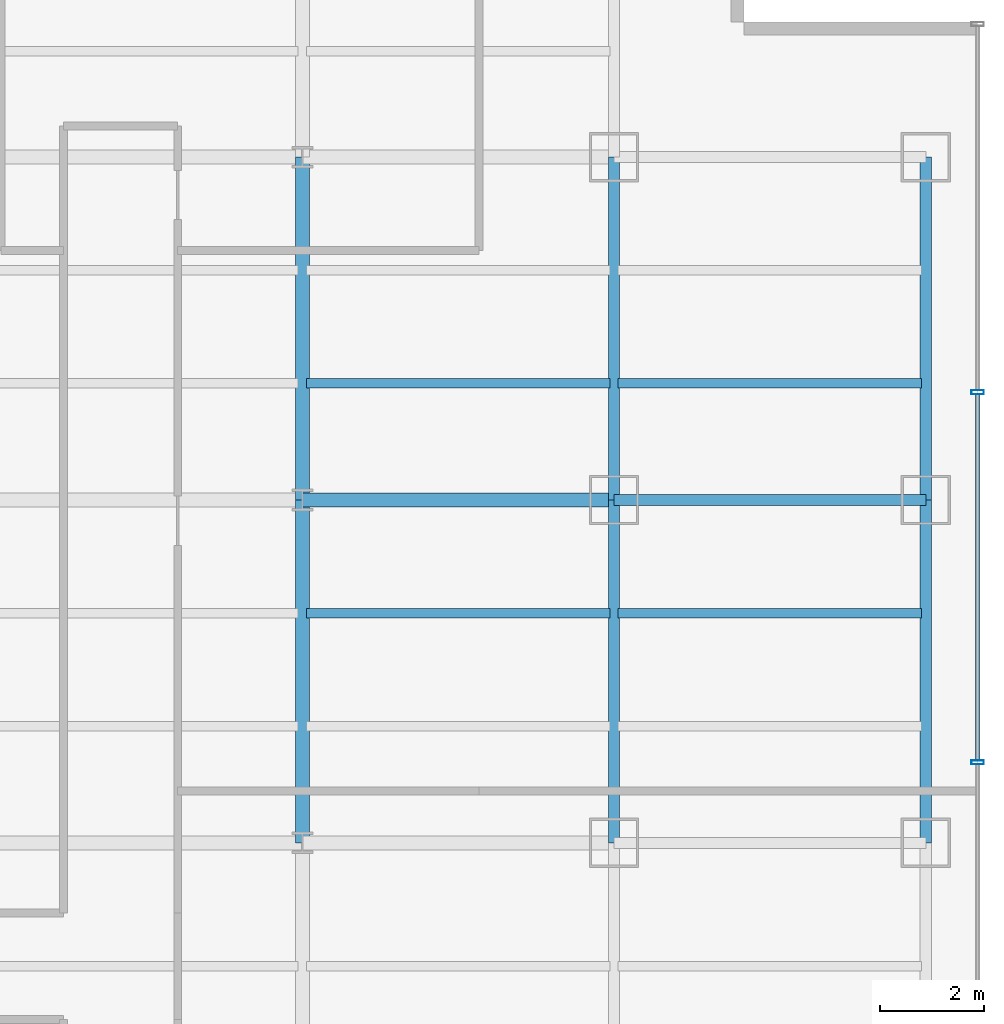
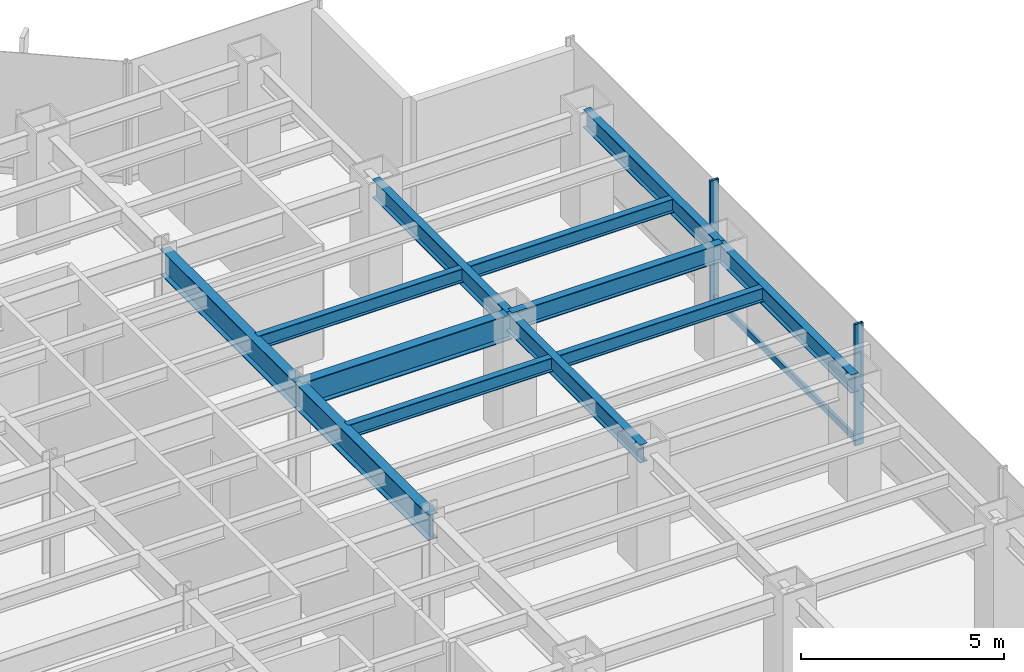
# One storey, part 9 of 22: 12 beams, 3 members, 1 element without a shape of its own.
"""IFC4 building model written with IfcOpenShell, lengths in metres."""

from ifc_helpers import new_model, si_unit, derived_unit, direction, frame, origin, origin_2d, place, context, subcontext, project, spatial, hollow_rectangle, i_section, extrude, source, transform, mapped, material, material_profile, profile_set, type_object, element, aggregate, save


model = new_model("IFC4")

# Units and contexts
model_context = context("Model", 3, precision=1e-05, world=origin(), true_north=direction((0.0, 1.0)))
body_context = subcontext(model_context, "Body", "Model", "MODEL_VIEW")
ifc_project = project(units=[si_unit("LENGTHUNIT", "METRE"), si_unit("AREAUNIT", "SQUARE_METRE"), si_unit("VOLUMEUNIT", "CUBIC_METRE"), si_unit("PLANEANGLEUNIT", "RADIAN"), si_unit("MASSUNIT", "GRAM", prefix="KILO"), derived_unit("THERMALTRANSMITTANCEUNIT", [(si_unit("POWERUNIT", "WATT"), 1), (si_unit("LENGTHUNIT", "METRE"), -2), (si_unit("THERMODYNAMICTEMPERATUREUNIT", "KELVIN"), -1)])], contexts=[model_context])

# Site, building, storey
site_placement = place(None, origin())
site = spatial("IfcSite", under=ifc_project, at=site_placement, CompositionType="ELEMENT")
building_placement = place(site_placement, origin())
building = spatial("IfcBuilding", under=site, at=building_placement, Name="Skarnbrae Concourse Arena and Tower", CompositionType="ELEMENT")
storey_placement = place(building_placement, frame((0.0, 0.0, 76.300048828125)))
storey = spatial("IfcBuildingStorey", under=building, at=storey_placement, Name="L18", CompositionType="ELEMENT", Elevation=76.300048828125)

# Beams
ifc_material_1 = material(Name="Steel CSA G40.21 350W", Category="steel")
ifc_material_profile_1 = material_profile(ifc_material_1, i_section(OverallWidth=0.214111328125, OverallDepth=0.549072265625, WebThickness=0.0146484375, FlangeThickness=0.023681640625, at=origin_2d()), Name="W530X138")
ifc_profile_set_1 = profile_set([ifc_material_profile_1], Name="Steel CSA G40.21 350W")
beam_type_1 = type_object("IfcBeamType", Name="BM-SPAN-W530X138", PredefinedType="SPANDREL", material=ifc_profile_set_1)
shared_shape_1 = source(origin(), body_context, "Body", "SweptSolid", [
    extrude(i_section(OverallWidth=0.214111328125, OverallDepth=0.549072265625, WebThickness=0.0146484375, FlangeThickness=0.023681640625, at=origin_2d()), origin(), (0.0, 0.0, 1.0), 6.0),
])
beam_1_placement = place(storey_placement, frame((55.0, 27.800048828125, 3.12548828125), z_axis=(1.0, 0.0, 0.0), x_axis=(0.0, 1.0, 0.0)))
element("IfcBeam", 1, at=beam_1_placement, inside=storey, type_object=beam_type_1, Name="L18 Perimeter spandrel Y27.8-9", PredefinedType="SPANDREL", context=body_context, shape_type="MappedRepresentation", body=[
    mapped(shared_shape_1, transform((0.0, 0.0, 0.0))),
])
ifc_material_profile_2 = material_profile(ifc_material_1, i_section(OverallWidth=0.26806640625, OverallDepth=0.77001953125, WebThickness=0.015625, FlangeThickness=0.025390625, at=origin_2d()), Name="W760X196")
ifc_profile_set_2 = profile_set([ifc_material_profile_2], Name="Steel CSA G40.21 350W")
beam_type_2 = type_object("IfcBeamType", Name="BM-GIRD-W760X196", PredefinedType="BEAM", material=ifc_profile_set_2)
shared_shape_2 = source(origin(), body_context, "Body", "SweptSolid", [
    extrude(i_section(OverallWidth=0.26806640625, OverallDepth=0.77001953125, WebThickness=0.015625, FlangeThickness=0.025390625, at=origin_2d()), origin(), (0.0, 0.0, 1.0), 6.60009765625),
])
beam_2_placement = place(storey_placement, frame((49.0, 21.199951171875, 3.014892578125), z_axis=(0.0, 1.0, 0.0), x_axis=(-1.0, 0.0, 0.0)))
element("IfcBeam", 2, at=beam_2_placement, inside=storey, type_object=beam_type_2, Name="L18 Primary N-S girder X49.0-3", PredefinedType="BEAM", context=body_context, shape_type="MappedRepresentation", body=[
    mapped(shared_shape_2, transform((0.0, 0.0, 0.0))),
])
shared_shape_3 = source(origin(), body_context, "Body", "SweptSolid", [
    extrude(i_section(OverallWidth=0.26806640625, OverallDepth=0.77001953125, WebThickness=0.015625, FlangeThickness=0.025390625, at=origin_2d()), origin(), (0.0, 0.0, 1.0), 6.0),
])
beam_3_placement = place(storey_placement, frame((49.0, 27.800048828125, 3.014892578125), z_axis=(1.0, 0.0, 0.0), x_axis=(0.0, 1.0, 0.0)))
element("IfcBeam", 3, at=beam_3_placement, inside=storey, type_object=beam_type_2, Name="L18 Primary E-W girder Y27.8-8", PredefinedType="BEAM", context=body_context, shape_type="MappedRepresentation", body=[
    mapped(shared_shape_3, transform((0.0, 0.0, 0.0))),
])
shared_shape_4 = source(origin(), body_context, "Body", "SweptSolid", [
    extrude(i_section(OverallWidth=0.214111328125, OverallDepth=0.549072265625, WebThickness=0.0146484375, FlangeThickness=0.023681640625, at=origin_2d()), origin(), (0.0, 0.0, 1.0), 6.60009765625),
])
for number, where, z_axis, x_axis, name in (
    (4, (55.0, 21.199951171875, 3.12548828125), (0.0, 1.0, 0.0), (-1.0, 0.0, 0.0), "L18 Perimeter spandrel X55.0-3"),
    (5, (61.0, 21.199951171875, 3.12548828125), (0.0, 1.0, 0.0), (-1.0, 0.0, 0.0), "L18 Perimeter spandrel X61.0-3"),
):
    element("IfcBeam", number, at=place(storey_placement, frame(where, z_axis=z_axis, x_axis=x_axis)), inside=storey, type_object=beam_type_1, Name=name, PredefinedType="SPANDREL", context=body_context, shape_type="MappedRepresentation", body=[
        mapped(shared_shape_4, transform((0.0, 0.0, 0.0))),
    ])
shared_shape_5 = source(origin(), body_context, "Body", "SweptSolid", [
    extrude(i_section(OverallWidth=0.214111328125, OverallDepth=0.549072265625, WebThickness=0.0146484375, FlangeThickness=0.023681640625, at=origin_2d()), origin(), (0.0, 0.0, 1.0), 6.599853515625),
])
for number, where, z_axis, x_axis, name in (
    (6, (55.0, 27.800048828125, 3.12548828125), (0.0, 1.0, 0.0), (-1.0, 0.0, 0.0), "L18 Perimeter spandrel X55.0-4"),
    (7, (61.0, 27.800048828125, 3.12548828125), (0.0, 1.0, 0.0), (-1.0, 0.0, 0.0), "L18 Perimeter spandrel X61.0-4"),
):
    element("IfcBeam", number, at=place(storey_placement, frame(where, z_axis=z_axis, x_axis=x_axis)), inside=storey, type_object=beam_type_1, Name=name, PredefinedType="SPANDREL", context=body_context, shape_type="MappedRepresentation", body=[
        mapped(shared_shape_5, transform((0.0, 0.0, 0.0))),
    ])
shared_shape_6 = source(origin(), body_context, "Body", "SweptSolid", [
    extrude(i_section(OverallWidth=0.26806640625, OverallDepth=0.77001953125, WebThickness=0.015625, FlangeThickness=0.025390625, at=origin_2d()), origin(), (0.0, 0.0, 1.0), 6.599853515625),
])
beam_4_placement = place(storey_placement, frame((49.0, 27.800048828125, 3.014892578125), z_axis=(0.0, 1.0, 0.0), x_axis=(-1.0, 0.0, 0.0)))
element("IfcBeam", 8, at=beam_4_placement, inside=storey, type_object=beam_type_2, Name="L18 Primary N-S girder X49.0-4", PredefinedType="BEAM", context=body_context, shape_type="MappedRepresentation", body=[
    mapped(shared_shape_6, transform((0.0, 0.0, 0.0))),
])
ifc_material_profile_3 = material_profile(ifc_material_1, i_section(OverallWidth=0.180908203125, OverallDepth=0.4169921875, WebThickness=0.010986328125, FlangeThickness=0.018310546875, at=origin_2d()), Name="W410X85")
ifc_profile_set_3 = profile_set([ifc_material_profile_3], Name="Steel CSA G40.21 350W")
beam_type_3 = type_object("IfcBeamType", Name="BM-JOIST-W410X85", PredefinedType="JOIST", material=ifc_profile_set_3)
shared_shape_7 = source(origin(), body_context, "Body", "SweptSolid", [
    extrude(i_section(OverallWidth=0.180908203125, OverallDepth=0.4169921875, WebThickness=0.010986328125, FlangeThickness=0.018310546875, at=origin_2d()), origin(), (0.0, 0.0, 1.0), 5.83984375),
])
for number, where, z_axis, x_axis, name in (
    (9, (49.080078125, 25.6220703125, 3.19140625), (1.0, 0.0, 0.0), (0.0, 1.0, 0.0), "L18 Secondary floor joist 2.2.8"),
    (10, (55.080078125, 25.6220703125, 3.19140625), (1.0, 0.0, 0.0), (0.0, 1.0, 0.0), "L18 Secondary floor joist 2.2.9"),
    (11, (49.080078125, 30.0439453125, 3.19140625), (1.0, 0.0, 0.0), (0.0, 1.0, 0.0), "L18 Secondary floor joist 3.1.8"),
    (12, (55.080078125, 30.0439453125, 3.19140625), (1.0, 0.0, 0.0), (0.0, 1.0, 0.0), "L18 Secondary floor joist 3.1.9"),
):
    element("IfcBeam", number, at=place(storey_placement, frame(where, z_axis=z_axis, x_axis=x_axis)), inside=storey, type_object=beam_type_3, Name=name, PredefinedType="JOIST", context=body_context, shape_type="MappedRepresentation", body=[
        mapped(shared_shape_7, transform((0.0, 0.0, 0.0))),
    ])

# Curtain wall, members
ifc_material_2 = material(Name="Bronze anodised aluminium 6063-T6", Category="aluminium")
curtain_wall_type = type_object("IfcCurtainWallType", Name="CW-SYS-02-LOWZONE", PredefinedType="USERDEFINED", material=ifc_material_2)
curtain_wall_placement = place(storey_placement, origin())
curtain_wall = element("IfcCurtainWall", 13, at=curtain_wall_placement, inside=storey, type_object=curtain_wall_type, Name="L18 Unitised curtain wall CW-L18-E04", ObjectType="UNITISED CURTAIN WALL", PredefinedType="USERDEFINED")
ifc_material_profile_4 = material_profile(ifc_material_2, hollow_rectangle(XDim=0.080078125, YDim=0.239990234375, WallThickness=0.0048828125, at=origin_2d()), Name="ALU-MULL-80X240")
ifc_profile_set_4 = profile_set([ifc_material_profile_4], Name="Bronze anodised aluminium 6063-T6")
member_type_1 = type_object("IfcMemberType", Name="CWM-CW-02", PredefinedType="MULLION", material=ifc_profile_set_4)
shared_shape_8 = source(origin(), body_context, "Body", "SweptSolid", [
    extrude(hollow_rectangle(XDim=0.080078125, YDim=0.239990234375, WallThickness=0.0048828125, at=origin_2d()), origin(), (0.0, 0.0, 1.0), 3.64990234375),
])
member_1_placement = place(storey_placement, frame((62.0, 22.75, 0.0), z_axis=(0.0, 0.0, 1.0), x_axis=(0.0, 1.0, 0.0)))
member_1 = element("IfcMember", 14, at=member_1_placement, type_object=member_type_1, Name="CW-L18-E04 Mullion 3", PredefinedType="MULLION", context=body_context, shape_type="MappedRepresentation", body=[
    mapped(shared_shape_8, transform((0.0, 0.0, 0.0))),
])
member_2_placement = place(storey_placement, frame((62.0, 29.875, 0.0), z_axis=(0.0, 0.0, 1.0), x_axis=(0.0, 1.0, 0.0)))
member_2 = element("IfcMember", 15, at=member_2_placement, type_object=member_type_1, Name="CW-L18-E04 Mullion 4", PredefinedType="MULLION", context=body_context, shape_type="MappedRepresentation", body=[
    mapped(shared_shape_8, transform((0.0, 0.0, 0.0))),
])
ifc_material_profile_5 = material_profile(ifc_material_2, hollow_rectangle(XDim=0.080078125, YDim=0.18994140625, WallThickness=0.0048828125, at=origin_2d()), Name="ALU-TRAN-80X190")
ifc_profile_set_5 = profile_set([ifc_material_profile_5], Name="Bronze anodised aluminium 6063-T6")
member_type_2 = type_object("IfcMemberType", Name="CWT-CW-02", PredefinedType="USERDEFINED", material=ifc_profile_set_5)
shared_shape_9 = source(origin(), body_context, "Body", "SweptSolid", [
    extrude(hollow_rectangle(XDim=0.080078125, YDim=0.18994140625, WallThickness=0.0048828125, at=origin_2d()), origin(), (0.0, 0.0, 1.0), 7.044921875),
])
member_3_placement = place(storey_placement, frame((62.0, 22.7900390625, 0.094970703125), z_axis=(0.0, 1.0, 0.0), x_axis=(-1.0, 0.0, 0.0)))
member_3 = element("IfcMember", 16, at=member_3_placement, type_object=member_type_2, Name="CW-L18-E04 Transom 3", ObjectType="TRANSOM", PredefinedType="USERDEFINED", context=body_context, shape_type="MappedRepresentation", body=[
    mapped(shared_shape_9, transform((0.0, 0.0, 0.0))),
])
aggregate(curtain_wall, [member_1, member_2, member_3])

save(model, "model.ifc")
